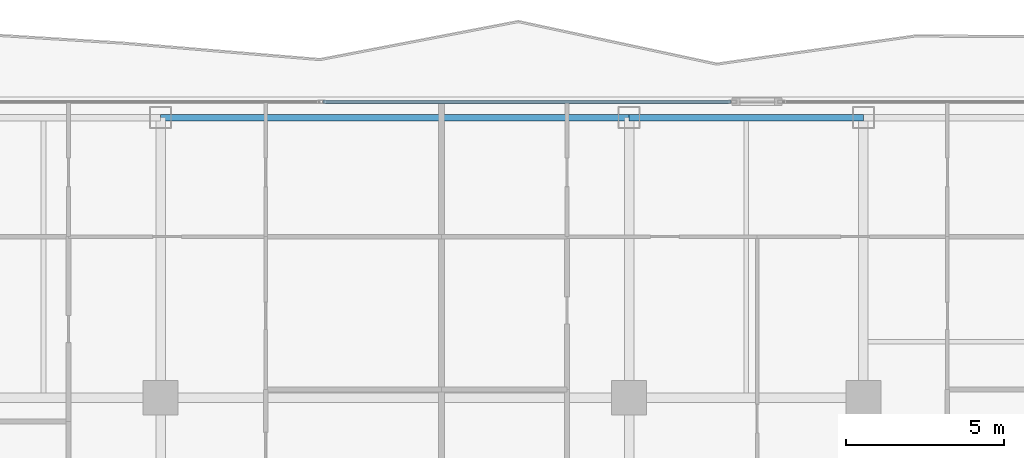
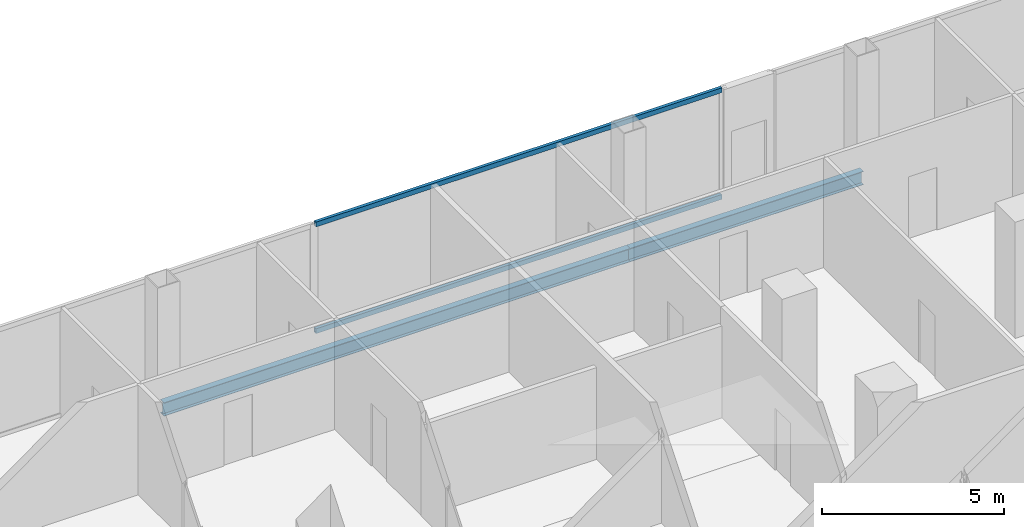
# One storey, part 15 of 27: 2 beams, 2 members, 1 element without a shape of its own.
"""IFC4 building model written with IfcOpenShell, lengths in metres."""

from ifc_helpers import new_model, si_unit, direction, frame, origin, origin_2d, place, context, subcontext, project, spatial, hollow_rectangle, i_section, extrude, material, layer, layer_set, material_profile, profile_set, type_object, element, aggregate, save


model = new_model("IFC4")

# Units and contexts
model_context = context("Model", 3, precision=1e-05, world=origin(), true_north=direction((0.0, 1.0)))
body_context = subcontext(model_context, "Body", "Model", "MODEL_VIEW")
ifc_project = project(units=[si_unit("LENGTHUNIT", "METRE"), si_unit("AREAUNIT", "SQUARE_METRE"), si_unit("VOLUMEUNIT", "CUBIC_METRE"), si_unit("PLANEANGLEUNIT", "RADIAN"), si_unit("MASSUNIT", "GRAM", prefix="KILO")], contexts=[model_context])

# Site, building, storey
site_placement = place(None, origin())
site = spatial("IfcSite", under=ifc_project, at=site_placement, CompositionType="ELEMENT")
building_placement = place(site_placement, origin())
building = spatial("IfcBuilding", under=site, at=building_placement, Name="Khorvyn Point Tower", CompositionType="ELEMENT")
storey_placement = place(building_placement, frame((0.0, 0.0, 129.0)))
storey = spatial("IfcBuildingStorey", under=building, at=storey_placement, Name="L32", CompositionType="ELEMENT", Elevation=129.0)

# Curtain wall, members
ifc_material_1 = material(Name="Anodised aluminium 6063-T6 and laminated Low-E glass", Category="aluminium")
ifc_layer = layer(ifc_material_1, 0.18994140625)
ifc_layer_set = layer_set([ifc_layer], Name="Stick-Built Acoustic Curtain Wall CW-SYS-03")
curtain_wall_type = type_object("IfcCurtainWallType", Name="Stick-Built Acoustic Curtain Wall CW-SYS-03", PredefinedType="NOTDEFINED", material=ifc_layer_set)
curtain_wall_placement = place(storey_placement, origin())
curtain_wall = element("IfcCurtainWall", 1, at=curtain_wall_placement, inside=storey, type_object=curtain_wall_type, Name="Curtain Wall", PredefinedType="NOTDEFINED")
ifc_material_2 = material(Name="Anodised aluminium 6063-T6", Category="aluminium")
ifc_material_profile_1 = material_profile(ifc_material_2, hollow_rectangle(XDim=0.10009765625, YDim=0.159912109375, WallThickness=0.00439453125, at=origin_2d()))
ifc_profile_set_1 = profile_set([ifc_material_profile_1], Name="Anodised aluminium 6063-T6 ALU-TRN-100x160")
member_type = type_object("IfcMemberType", Name="Anodised Aluminium 6063-T6 Transom ALU-TRN-100x160", PredefinedType="USERDEFINED", material=ifc_profile_set_1)
member_1_placement = place(storey_placement, frame((-2.262939453125, 29.449951171875, 0.050048828125), z_axis=(1.0, 0.0, 0.0), x_axis=(0.0, 1.0, 0.0)))
member_1 = element("IfcMember", 2, at=member_1_placement, type_object=member_type, Name="Transom", ObjectType="TRANSOM", PredefinedType="USERDEFINED", context=body_context, shape_type="SweptSolid", body=[
    extrude(hollow_rectangle(XDim=0.10009765625, YDim=0.159912109375, WallThickness=0.00439453125, at=origin_2d()), origin(), (0.0, 0.0, 1.0), 12.886962890625),
])
member_2_placement = place(storey_placement, frame((-2.262939453125, 29.449951171875, 3.6298828125), z_axis=(1.0, 0.0, 0.0), x_axis=(0.0, 1.0, 0.0)))
member_2 = element("IfcMember", 3, at=member_2_placement, type_object=member_type, Name="Transom", ObjectType="TRANSOM", PredefinedType="USERDEFINED", context=body_context, shape_type="SweptSolid", body=[
    extrude(hollow_rectangle(XDim=0.10009765625, YDim=0.159912109375, WallThickness=0.00439453125, at=origin_2d()), origin(), (0.0, 0.0, 1.0), 12.886962890625),
])
aggregate(curtain_wall, [member_1, member_2])

# Beams
ifc_material_3 = material(Name="Steel S355", Category="steel")
ifc_material_profile_2 = material_profile(ifc_material_3, i_section(OverallWidth=0.199951171875, OverallDepth=0.449951171875, WebThickness=0.009033203125, FlangeThickness=0.013916015625, at=origin_2d()))
ifc_profile_set_2 = profile_set([ifc_material_profile_2], Name="Steel S355 H450x200x9x14")
beam_type = type_object("IfcBeamType", Name="Steel S355 Spandrel H450x200x9x14", PredefinedType="SPANDREL", material=ifc_profile_set_2)
beam_1_placement = place(storey_placement, frame((-7.39990234375, 28.949951171875, -0.445068359375), z_axis=(1.0, 0.0, 0.0), x_axis=(0.0, 1.0, 0.0)))
element("IfcBeam", 4, at=beam_1_placement, inside=storey, type_object=beam_type, Name="Beam", PredefinedType="SPANDREL", context=body_context, shape_type="SweptSolid", body=[
    extrude(i_section(OverallWidth=0.199951171875, OverallDepth=0.449951171875, WebThickness=0.009033203125, FlangeThickness=0.013916015625, at=origin_2d()), origin(), (0.0, 0.0, 1.0), 14.7998046875),
])
beam_2_placement = place(storey_placement, frame((7.39990234375, 28.949951171875, -0.445068359375), z_axis=(1.0, 0.0, 0.0), x_axis=(0.0, 1.0, 0.0)))
element("IfcBeam", 5, at=beam_2_placement, inside=storey, type_object=beam_type, Name="Beam", PredefinedType="SPANDREL", context=body_context, shape_type="SweptSolid", body=[
    extrude(i_section(OverallWidth=0.199951171875, OverallDepth=0.449951171875, WebThickness=0.009033203125, FlangeThickness=0.013916015625, at=origin_2d()), origin(), (0.0, 0.0, 1.0), 7.400146484375),
])

save(model, "model.ifc")
